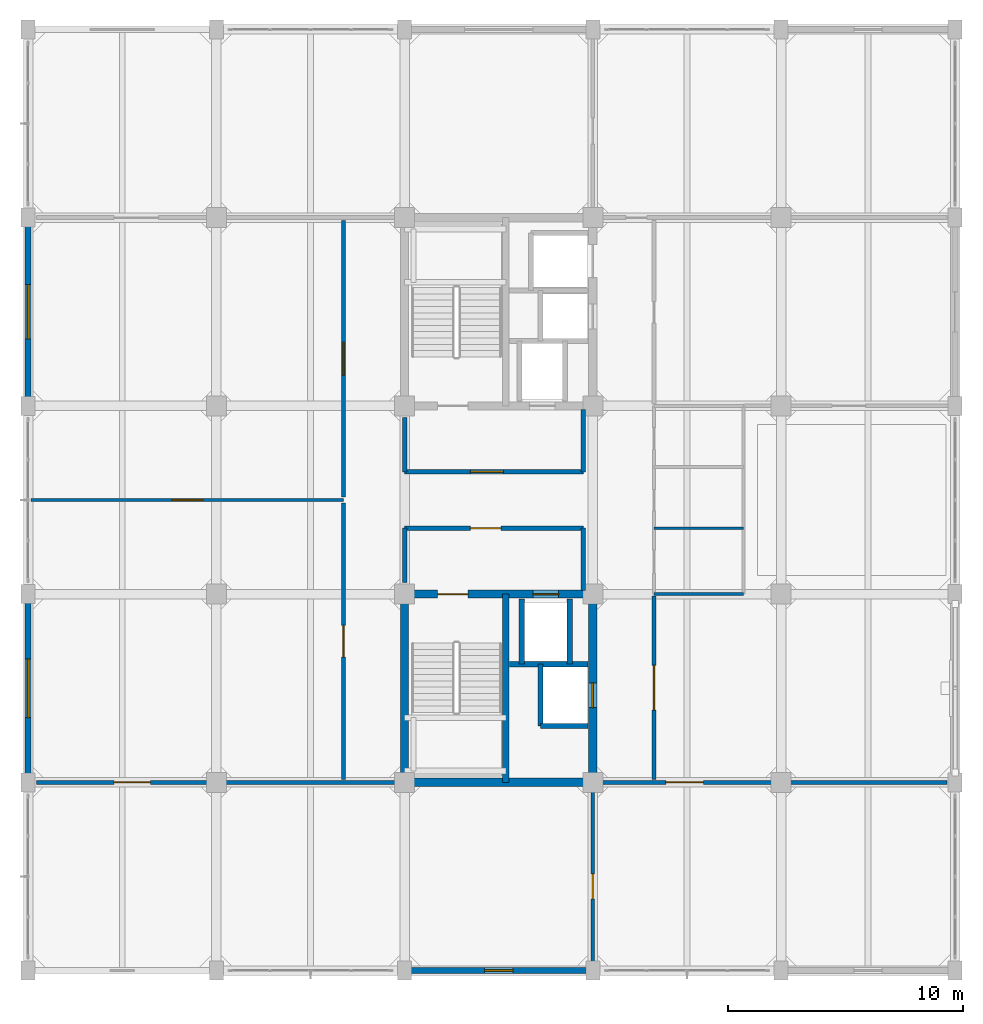
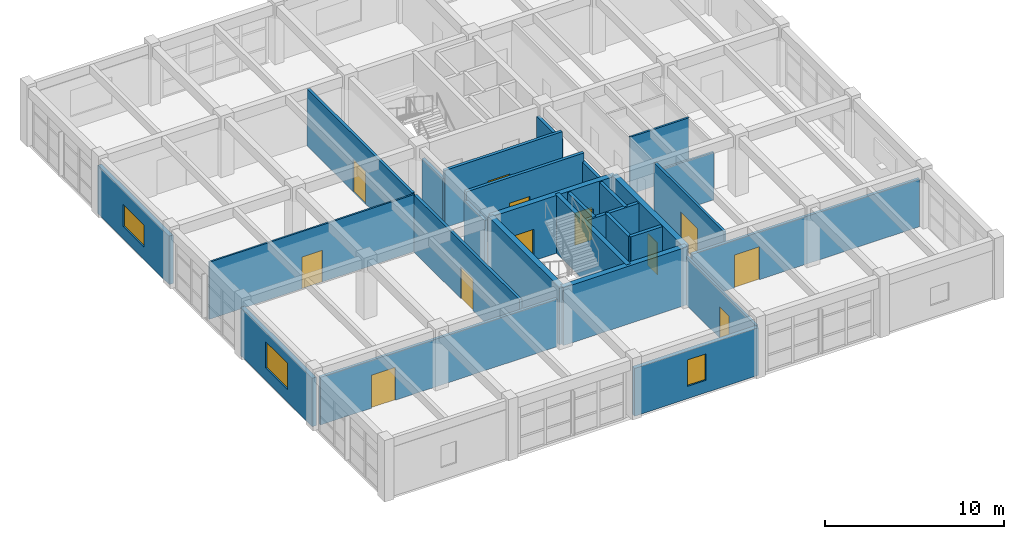
# One storey, part 21 of 27: 28 walls, 12 doors, 3 windows, 15 openings.
"""IFC4 building model written with IfcOpenShell, lengths in metres."""

from ifc_helpers import new_model, si_unit, direction, frame, frame_2d, origin, place, context, subcontext, project, spatial, rectangle, extrude, material, layer, layer_set, type_object, element, fill, save


model = new_model("IFC4")

# Units and contexts
model_context = context("Model", 3, precision=1e-05, world=origin(), true_north=direction((0.0, 1.0)))
body_context = subcontext(model_context, "Body", "Model", "MODEL_VIEW")
ifc_project = project(units=[si_unit("LENGTHUNIT", "METRE"), si_unit("AREAUNIT", "SQUARE_METRE"), si_unit("VOLUMEUNIT", "CUBIC_METRE"), si_unit("PLANEANGLEUNIT", "RADIAN"), si_unit("MASSUNIT", "GRAM", prefix="KILO")], contexts=[model_context])

# Site, building, storey
site_placement = place(None, origin())
site = spatial("IfcSite", under=ifc_project, at=site_placement, CompositionType="ELEMENT")
building_placement = place(site_placement, origin())
building = spatial("IfcBuilding", under=site, at=building_placement, Name="Canggui Botanical Conservatory", CompositionType="ELEMENT")
storey_placement = place(building_placement, frame((0.0, 0.0, 31.800048828125)))
storey = spatial("IfcBuildingStorey", under=building, at=storey_placement, Name="L08", CompositionType="ELEMENT", Elevation=31.800048828125)

# Wall, opening, window
ifc_material_1 = material(Name="Precast Concrete C40", Category="concrete")
ifc_layer_1 = layer(ifc_material_1, 0.260009765625, Name="Precast Concrete C40", Category="concrete")
ifc_layer_set_1 = layer_set([ifc_layer_1], Name="Precast Concrete C40")
wall_type_1 = type_object("IfcWallType", Name="EW-260", PredefinedType="STANDARD", material=ifc_layer_set_1)
wall_1_placement = place(storey_placement, frame((162.0, 34.0, 0.0), z_axis=(0.0, 0.0, 1.0), x_axis=(-1.0, 0.0, 0.0)))
wall_1 = element("IfcWall", 1, at=wall_1_placement, inside=storey, type_object=wall_type_1, Name="Tower Insulated Exterior Wall L08-S3", PredefinedType="STANDARD", context=body_context, shape_type="SweptSolid", body=[
    extrude(rectangle(XDim=8.0, YDim=0.260009765625, at=frame_2d((4.0, 0.0))), origin(), (0.0, 0.0, 1.0), 3.260009765625),
])
opening_1_placement = place(wall_1_placement, frame((3.39990234375, 0.0, 0.85009765625)))
opening_1 = element("IfcOpeningElement", 2, at=opening_1_placement, cuts=wall_1, Name="Opening W-15", PredefinedType="OPENING", context=body_context, shape_type="SweptSolid", body=[
    extrude(rectangle(XDim=1.199951171875, YDim=1.800048828125, at=frame_2d((0.60009765625, 0.89990234375))), frame((0.0, 0.14013671875, 0.0), z_axis=(0.0, -1.0, 0.0), x_axis=(1.0, 0.0, 0.0)), (0.0, 0.0, 1.0), 0.280029296875),
])
ifc_material_2 = material(Name="Low-E Insulated Glass", Category="glass")
window_type_1 = type_object("IfcWindowType", Name="WIN-15", PartitioningType="SINGLE_PANEL", PredefinedType="WINDOW", material=ifc_material_2)
window_1_placement = place(opening_1_placement, origin())
window_1 = element("IfcWindow", 3, at=window_1_placement, inside=storey, type_object=window_type_1, Name="Tower Window L08-3", OverallHeight=1.800048828125, OverallWidth=1.199951171875, PartitioningType="SINGLE_PANEL", PredefinedType="WINDOW", context=body_context, shape_type="SweptSolid", body=[
    extrude(rectangle(XDim=1.199951171875, YDim=1.800048828125, at=frame_2d((0.60009765625, 0.89990234375))), frame((0.0, 0.030029296875, 0.0), z_axis=(0.0, -1.0, 0.0), x_axis=(1.0, 0.0, 0.0)), (0.0, 0.0, 1.0), 0.06005859375),
])
fill(opening_1, window_1)

wall_2_placement = place(storey_placement, frame((138.0, 42.0, 0.0), z_axis=(0.0, 0.0, 1.0), x_axis=(0.0, 1.0, 0.0)))
wall_2 = element("IfcWall", 4, at=wall_2_placement, inside=storey, type_object=wall_type_1, Name="Tower Insulated Exterior Wall L08-W7", PredefinedType="STANDARD", context=body_context, shape_type="SweptSolid", body=[
    extrude(rectangle(XDim=8.0, YDim=0.260009765625, at=frame_2d((4.0, 0.0))), origin(), (0.0, 0.0, 1.0), 3.31005859375),
])
opening_2_placement = place(wall_2_placement, frame((2.75, 0.0, 0.85009765625)))
opening_2 = element("IfcOpeningElement", 5, at=opening_2_placement, cuts=wall_2, Name="Opening W-18", PredefinedType="OPENING", context=body_context, shape_type="SweptSolid", body=[
    extrude(rectangle(XDim=2.5, YDim=1.800048828125, at=frame_2d((1.25, 0.89990234375))), frame((0.0, 0.14013671875, 0.0), z_axis=(0.0, -1.0, 0.0), x_axis=(1.0, 0.0, 0.0)), (0.0, 0.0, 1.0), 0.280029296875),
])
window_type_2 = type_object("IfcWindowType", Name="WIN-18", PartitioningType="DOUBLE_PANEL_VERTICAL", PredefinedType="WINDOW", material=ifc_material_2)
window_2_placement = place(opening_2_placement, origin())
window_2 = element("IfcWindow", 6, at=window_2_placement, inside=storey, type_object=window_type_2, Name="Tower Window L08-7", OverallHeight=1.800048828125, OverallWidth=2.5, PartitioningType="SINGLE_PANEL", PredefinedType="WINDOW", context=body_context, shape_type="SweptSolid", body=[
    extrude(rectangle(XDim=2.5, YDim=1.800048828125, at=frame_2d((1.25, 0.89990234375))), frame((0.0, 0.030029296875, 0.0), z_axis=(0.0, -1.0, 0.0), x_axis=(1.0, 0.0, 0.0)), (0.0, 0.0, 1.0), 0.06005859375),
])
fill(opening_2, window_2)

wall_3_placement = place(storey_placement, frame((138.0, 58.0, 0.0), z_axis=(0.0, 0.0, 1.0), x_axis=(0.0, 1.0, 0.0)))
wall_3 = element("IfcWall", 7, at=wall_3_placement, inside=storey, type_object=wall_type_1, Name="Tower Insulated Exterior Wall L08-W9", PredefinedType="STANDARD", context=body_context, shape_type="SweptSolid", body=[
    extrude(rectangle(XDim=8.0, YDim=0.260009765625, at=frame_2d((4.0, 0.0))), origin(), (0.0, 0.0, 1.0), 3.31005859375),
])
opening_3_placement = place(wall_3_placement, frame((2.85009765625, 0.0, 0.85009765625)))
opening_3 = element("IfcOpeningElement", 8, at=opening_3_placement, cuts=wall_3, Name="Opening W-19", PredefinedType="OPENING", context=body_context, shape_type="SweptSolid", body=[
    extrude(rectangle(XDim=2.300048828125, YDim=1.5, at=frame_2d((1.14990234375, 0.75))), frame((0.0, 0.14013671875, 0.0), z_axis=(0.0, -1.0, 0.0), x_axis=(1.0, 0.0, 0.0)), (0.0, 0.0, 1.0), 0.280029296875),
])
window_type_3 = type_object("IfcWindowType", Name="WIN-19", PartitioningType="DOUBLE_PANEL_VERTICAL", PredefinedType="WINDOW", material=ifc_material_2)
window_3_placement = place(opening_3_placement, origin())
window_3 = element("IfcWindow", 9, at=window_3_placement, inside=storey, type_object=window_type_3, Name="Tower Window L08-9", OverallHeight=1.5, OverallWidth=2.300048828125, PartitioningType="SINGLE_PANEL", PredefinedType="WINDOW", context=body_context, shape_type="SweptSolid", body=[
    extrude(rectangle(XDim=2.300048828125, YDim=1.5, at=frame_2d((1.14990234375, 0.75))), frame((0.0, 0.030029296875, 0.0), z_axis=(0.0, -1.0, 0.0), x_axis=(1.0, 0.0, 0.0)), (0.0, 0.0, 1.0), 0.06005859375),
])
fill(opening_3, window_3)

# Wall, opening, door
ifc_material_3 = material(Name="Gypsum Plasterboard Partition")
ifc_layer_2 = layer(ifc_material_3, 0.175048828125, Name="Gypsum Plasterboard Partition")
ifc_layer_set_2 = layer_set([ifc_layer_2], Name="Gypsum Plasterboard Partition")
wall_type_2 = type_object("IfcWallType", Name="IW-CORR-175", PredefinedType="STANDARD", material=ifc_layer_set_2)
wall_4_placement = place(storey_placement, frame((151.39990234375, 42.1201171875, 0.0), z_axis=(0.0, 0.0, 1.0), x_axis=(0.0, 1.0, 0.0)))
wall_4 = element("IfcWall", 10, at=wall_4_placement, inside=storey, type_object=wall_type_2, Name="L08 Plant Ecology Research Laboratory Corridor Wall", PredefinedType="STANDARD", context=body_context, shape_type="SweptSolid", body=[
    extrude(rectangle(XDim=11.759765625, YDim=0.175048828125, at=frame_2d((5.8798828125, 0.0))), origin(), (0.0, 0.0, 1.0), 3.89990234375),
])
opening_4_placement = place(wall_4_placement, frame((5.205078125, 0.0, 0.0)))
opening_4 = element("IfcOpeningElement", 11, at=opening_4_placement, cuts=wall_4, Name="Opening FD-10", PredefinedType="OPENING", context=body_context, shape_type="SweptSolid", body=[
    extrude(rectangle(XDim=1.35009765625, YDim=2.14990234375, at=frame_2d((0.675048828125, 1.074951171875))), frame((0.0, 0.09765625, 0.0), z_axis=(0.0, -1.0, 0.0), x_axis=(1.0, 0.0, 0.0)), (0.0, 0.0, 1.0), 0.195068359375),
])
ifc_material_4 = material(Name="Powder-Coated Steel", Category="steel")
door_type_1 = type_object("IfcDoorType", Name="FD-10", OperationType="NOTDEFINED", PredefinedType="DOOR", material=ifc_material_4)
door_1_placement = place(opening_4_placement, origin())
door_1 = element("IfcDoor", 12, at=door_1_placement, inside=storey, type_object=door_type_1, Name="L08 Plant Ecology Research Laboratory Entrance Door", OperationType="SINGLE_SWING_LEFT", OverallHeight=2.14990234375, OverallWidth=1.35009765625, PredefinedType="DOOR", context=body_context, shape_type="SweptSolid", body=[
    extrude(rectangle(XDim=1.35009765625, YDim=2.14990234375, at=frame_2d((0.675048828125, 1.074951171875))), frame((0.0, 0.02490234375, 0.0), z_axis=(0.0, -1.0, 0.0), x_axis=(1.0, 0.0, 0.0)), (0.0, 0.0, 1.0), 0.050048828125),
])
fill(opening_4, door_1)

wall_5_placement = place(storey_placement, frame((151.39990234375, 54.1201171875, 0.0), z_axis=(0.0, 0.0, 1.0), x_axis=(0.0, 1.0, 0.0)))
wall_5 = element("IfcWall", 13, at=wall_5_placement, inside=storey, type_object=wall_type_2, Name="L08 Canopy Microclimate Laboratory Corridor Wall", PredefinedType="STANDARD", context=body_context, shape_type="SweptSolid", body=[
    extrude(rectangle(XDim=11.759765625, YDim=0.175048828125, at=frame_2d((5.8798828125, 0.0))), origin(), (0.0, 0.0, 1.0), 3.89990234375),
])
opening_5_placement = place(wall_5_placement, frame((5.179931640625, 0.0, 0.0)))
opening_5 = element("IfcOpeningElement", 14, at=opening_5_placement, cuts=wall_5, Name="Opening FD-11", PredefinedType="OPENING", context=body_context, shape_type="SweptSolid", body=[
    extrude(rectangle(XDim=1.39990234375, YDim=2.199951171875, at=frame_2d((0.699951171875, 1.10009765625))), frame((0.0, 0.09765625, 0.0), z_axis=(0.0, -1.0, 0.0), x_axis=(1.0, 0.0, 0.0)), (0.0, 0.0, 1.0), 0.195068359375),
])
door_type_2 = type_object("IfcDoorType", Name="FD-11", OperationType="NOTDEFINED", PredefinedType="DOOR", material=ifc_material_4)
door_2_placement = place(opening_5_placement, origin())
door_2 = element("IfcDoor", 15, at=door_2_placement, inside=storey, type_object=door_type_2, Name="L08 Canopy Microclimate Laboratory Entrance Door", OperationType="SINGLE_SWING_LEFT", OverallHeight=2.199951171875, OverallWidth=1.39990234375, PredefinedType="DOOR", context=body_context, shape_type="SweptSolid", body=[
    extrude(rectangle(XDim=1.39990234375, YDim=2.199951171875, at=frame_2d((0.699951171875, 1.10009765625))), frame((0.0, 0.02490234375, 0.0), z_axis=(0.0, -1.0, 0.0), x_axis=(1.0, 0.0, 0.0)), (0.0, 0.0, 1.0), 0.050048828125),
])
fill(opening_5, door_2)

wall_6_placement = place(storey_placement, frame((138.35009765625, 42.0, 0.0), z_axis=(0.0, 0.0, 1.0), x_axis=(1.0, 0.0, 0.0)))
wall_6 = element("IfcWall", 16, at=wall_6_placement, inside=storey, type_object=wall_type_2, Name="L08 Soil Rhizosphere Analysis Laboratory South Suite Wall", PredefinedType="STANDARD", context=body_context, shape_type="SweptSolid", body=[
    extrude(rectangle(XDim=15.2998046875, YDim=0.175048828125, at=frame_2d((7.64990234375, 0.0))), origin(), (0.0, 0.0, 1.0), 3.260009765625),
])
opening_6_placement = place(wall_6_placement, frame((3.300048828125, 0.0, 0.0)))
opening_6 = element("IfcOpeningElement", 17, at=opening_6_placement, cuts=wall_6, Name="Opening FD-14", PredefinedType="OPENING", context=body_context, shape_type="SweptSolid", body=[
    extrude(rectangle(XDim=1.550048828125, YDim=2.25, at=frame_2d((0.77490234375, 1.125))), frame((0.0, 0.09765625, 0.0), z_axis=(0.0, -1.0, 0.0), x_axis=(1.0, 0.0, 0.0)), (0.0, 0.0, 1.0), 0.195068359375),
])
door_type_3 = type_object("IfcDoorType", Name="FD-14", OperationType="NOTDEFINED", PredefinedType="DOOR", material=ifc_material_4)
door_3_placement = place(opening_6_placement, origin())
door_3 = element("IfcDoor", 18, at=door_3_placement, inside=storey, type_object=door_type_3, Name="Interior Door IW-L08-SCOR-1", OperationType="SINGLE_SWING_RIGHT", OverallHeight=2.25, OverallWidth=1.550048828125, PredefinedType="DOOR", context=body_context, shape_type="SweptSolid", body=[
    extrude(rectangle(XDim=1.550048828125, YDim=2.25, at=frame_2d((0.77490234375, 1.125))), frame((0.0, 0.02490234375, 0.0), z_axis=(0.0, -1.0, 0.0), x_axis=(1.0, 0.0, 0.0)), (0.0, 0.0, 1.0), 0.050048828125),
])
fill(opening_6, door_3)

wall_7_placement = place(storey_placement, frame((162.35009765625, 42.0, 0.0), z_axis=(0.0, 0.0, 1.0), x_axis=(1.0, 0.0, 0.0)))
wall_7 = element("IfcWall", 19, at=wall_7_placement, inside=storey, type_object=wall_type_2, Name="L08 Isotope Ratio Spectrometer Room South Suite Wall", PredefinedType="STANDARD", context=body_context, shape_type="SweptSolid", body=[
    extrude(rectangle(XDim=14.699951171875, YDim=0.175048828125, at=frame_2d((7.35009765625, 0.0))), origin(), (0.0, 0.0, 1.0), 3.260009765625),
])
opening_7_placement = place(wall_7_placement, frame((2.75, 0.0, 0.0)))
opening_7 = element("IfcOpeningElement", 20, at=opening_7_placement, cuts=wall_7, Name="Opening FD-15", PredefinedType="OPENING", context=body_context, shape_type="SweptSolid", body=[
    extrude(rectangle(XDim=1.60009765625, YDim=2.25, at=frame_2d((0.800048828125, 1.125))), frame((0.0, 0.09765625, 0.0), z_axis=(0.0, -1.0, 0.0), x_axis=(1.0, 0.0, 0.0)), (0.0, 0.0, 1.0), 0.195068359375),
])
door_type_4 = type_object("IfcDoorType", Name="FD-15", OperationType="NOTDEFINED", PredefinedType="DOOR", material=ifc_material_4)
door_4_placement = place(opening_7_placement, origin())
door_4 = element("IfcDoor", 21, at=door_4_placement, inside=storey, type_object=door_type_4, Name="Interior Door IW-L08-SCOR-2", OperationType="DOUBLE_DOOR_SINGLE_SWING", OverallHeight=2.25, OverallWidth=1.60009765625, PredefinedType="DOOR", context=body_context, shape_type="SweptSolid", body=[
    extrude(rectangle(XDim=1.60009765625, YDim=2.25, at=frame_2d((0.800048828125, 1.125))), frame((0.0, 0.02490234375, 0.0), z_axis=(0.0, -1.0, 0.0), x_axis=(1.0, 0.0, 0.0)), (0.0, 0.0, 1.0), 0.050048828125),
])
fill(opening_7, door_4)

ifc_layer_3 = layer(ifc_material_3, 0.155029296875, Name="Gypsum Plasterboard Partition")
ifc_layer_set_3 = layer_set([ifc_layer_3], Name="Gypsum Plasterboard Partition")
wall_type_3 = type_object("IfcWallType", Name="IW-LAB-155", PredefinedType="STANDARD", material=ifc_layer_set_3)
wall_8_placement = place(storey_placement, frame((164.60009765625, 42.1201171875, 0.0), z_axis=(0.0, 0.0, 1.0), x_axis=(0.0, 1.0, 0.0)))
wall_8 = element("IfcWall", 22, at=wall_8_placement, inside=storey, type_object=wall_type_3, Name="L08 Urban Biodiversity Research Laboratory Lab Wall", PredefinedType="STANDARD", context=body_context, shape_type="SweptSolid", body=[
    extrude(rectangle(XDim=7.7998046875, YDim=0.155029296875, at=frame_2d((3.89990234375, 0.0))), origin(), (0.0, 0.0, 1.0), 3.89990234375),
])
opening_8_placement = place(wall_8_placement, frame((2.949951171875, 0.0, 0.0)))
opening_8 = element("IfcOpeningElement", 23, at=opening_8_placement, cuts=wall_8, Name="Opening FD-18", PredefinedType="OPENING", context=body_context, shape_type="SweptSolid", body=[
    extrude(rectangle(XDim=1.89990234375, YDim=2.35009765625, at=frame_2d((0.949951171875, 1.175048828125))), frame((0.0, 0.08740234375, 0.0), z_axis=(0.0, -1.0, 0.0), x_axis=(1.0, 0.0, 0.0)), (0.0, 0.0, 1.0), 0.175048828125),
])
door_type_5 = type_object("IfcDoorType", Name="FD-18", OperationType="NOTDEFINED", PredefinedType="DOOR", material=ifc_material_4)
door_5_placement = place(opening_8_placement, origin())
door_5 = element("IfcDoor", 24, at=door_5_placement, inside=storey, type_object=door_type_5, Name="Interior Door IW-L08-ECOR-1-1", OperationType="DOUBLE_DOOR_SINGLE_SWING", OverallHeight=2.35009765625, OverallWidth=1.89990234375, PredefinedType="DOOR", context=body_context, shape_type="SweptSolid", body=[
    extrude(rectangle(XDim=1.89990234375, YDim=2.35009765625, at=frame_2d((0.949951171875, 1.175048828125))), frame((0.0, 0.02490234375, 0.0), z_axis=(0.0, -1.0, 0.0), x_axis=(1.0, 0.0, 0.0)), (0.0, 0.0, 1.0), 0.050048828125),
])
fill(opening_8, door_5)

ifc_layer_4 = layer(ifc_material_3, 0.110107421875, Name="Gypsum Plasterboard Partition")
ifc_layer_set_4 = layer_set([ifc_layer_4], Name="Gypsum Plasterboard Partition")
wall_type_4 = type_object("IfcWallType", Name="IW-LIGHT-110", PredefinedType="STANDARD", material=ifc_layer_set_4)
wall_9_placement = place(storey_placement, frame((138.1201171875, 54.0, 0.0), z_axis=(0.0, 0.0, 1.0), x_axis=(1.0, 0.0, 0.0)))
wall_9 = element("IfcWall", 25, at=wall_9_placement, inside=storey, type_object=wall_type_4, Name="L08 Plant Ecology Research Laboratory Cross Partition", PredefinedType="STANDARD", context=body_context, shape_type="SweptSolid", body=[
    extrude(rectangle(XDim=13.27978515625, YDim=0.110107421875, at=frame_2d((6.639892578125, 0.0))), origin(), (0.0, 0.0, 1.0), 3.89990234375),
])
opening_9_placement = place(wall_9_placement, frame((5.97998046875, 0.0, 0.0)))
opening_9 = element("IfcOpeningElement", 26, at=opening_9_placement, cuts=wall_9, Name="Opening ID-10", PredefinedType="OPENING", context=body_context, shape_type="SweptSolid", body=[
    extrude(rectangle(XDim=1.320068359375, YDim=2.159912109375, at=frame_2d((0.66015625, 1.080078125))), frame((0.0, 0.06494140625, 0.0), z_axis=(0.0, -1.0, 0.0), x_axis=(1.0, 0.0, 0.0)), (0.0, 0.0, 1.0), 0.130126953125),
])
ifc_material_5 = material(Name="Engineered Timber Veneer", Category="wood")
door_type_6 = type_object("IfcDoorType", Name="ID-10", OperationType="NOTDEFINED", PredefinedType="DOOR", material=ifc_material_5)
door_6_placement = place(opening_9_placement, origin())
door_6 = element("IfcDoor", 27, at=door_6_placement, inside=storey, type_object=door_type_6, Name="L08 Plant Ecology Research Laboratory Interconnecting Door", OperationType="SINGLE_SWING_RIGHT", OverallHeight=2.159912109375, OverallWidth=1.320068359375, PredefinedType="DOOR", context=body_context, shape_type="SweptSolid", body=[
    extrude(rectangle(XDim=1.320068359375, YDim=2.159912109375, at=frame_2d((0.66015625, 1.080078125))), frame((0.0, 0.02490234375, 0.0), z_axis=(0.0, -1.0, 0.0), x_axis=(1.0, 0.0, 0.0)), (0.0, 0.0, 1.0), 0.050048828125),
])
fill(opening_9, door_6)

ifc_material_6 = material(Name="Concrete C35", Category="concrete")
ifc_layer_5 = layer(ifc_material_6, 0.195068359375, Name="Concrete C35", Category="concrete")
ifc_layer_set_5 = layer_set([ifc_layer_5], Name="Concrete C35")
wall_type_5 = type_object("IfcWallType", Name="IW-LOBBY-195", PredefinedType="STANDARD", material=ifc_layer_set_5)
wall_10_placement = place(storey_placement, frame((154.0, 52.800048828125, 0.0), z_axis=(0.0, 0.0, 1.0), x_axis=(1.0, 0.0, 0.0)))
wall_10 = element("IfcWall", 28, at=wall_10_placement, inside=storey, type_object=wall_type_5, Name="L08 South Firefighting Lift Lobby North Wall", PredefinedType="STANDARD", context=body_context, shape_type="SweptSolid", body=[
    extrude(rectangle(XDim=7.60009765625, YDim=0.195068359375, at=frame_2d((3.800048828125, 0.0))), origin(), (0.0, 0.0, 1.0), 3.89990234375),
])
opening_10_placement = place(wall_10_placement, frame((2.800048828125, 0.0, 0.0)))
opening_10 = element("IfcOpeningElement", 29, at=opening_10_placement, cuts=wall_10, Name="Opening FD-09", PredefinedType="OPENING", context=body_context, shape_type="SweptSolid", body=[
    extrude(rectangle(XDim=1.300048828125, YDim=2.14990234375, at=frame_2d((0.64990234375, 1.074951171875))), frame((0.0, 0.107421875, 0.0), z_axis=(0.0, -1.0, 0.0), x_axis=(1.0, 0.0, 0.0)), (0.0, 0.0, 1.0), 0.215087890625),
])
door_type_7 = type_object("IfcDoorType", Name="FD-09", OperationType="NOTDEFINED", PredefinedType="DOOR", material=ifc_material_4)
door_7_placement = place(opening_10_placement, origin())
door_7 = element("IfcDoor", 30, at=door_7_placement, inside=storey, type_object=door_type_7, Name="L08 South Firefighting Lobby Fire Door", OperationType="SINGLE_SWING_RIGHT", OverallHeight=2.14990234375, OverallWidth=1.300048828125, PredefinedType="DOOR", context=body_context, shape_type="SweptSolid", body=[
    extrude(rectangle(XDim=1.300048828125, YDim=2.14990234375, at=frame_2d((0.64990234375, 1.074951171875))), frame((0.0, 0.02490234375, 0.0), z_axis=(0.0, -1.0, 0.0), x_axis=(1.0, 0.0, 0.0)), (0.0, 0.0, 1.0), 0.050048828125),
])
fill(opening_10, door_7)

# Walls
wall_11_placement = place(storey_placement, frame((161.60009765625, 50.14990234375, 0.0), z_axis=(0.0, 0.0, 1.0), x_axis=(0.0, 1.0, 0.0)))
element("IfcWall", 31, at=wall_11_placement, inside=storey, type_object=wall_type_5, Name="L08 South Firefighting Lift Lobby East Wall", PredefinedType="STANDARD", context=body_context, shape_type="SweptSolid", body=[
    extrude(rectangle(XDim=2.650146484375, YDim=0.195068359375, at=frame_2d((1.3251953125, 0.0))), origin(), (0.0, 0.0, 1.0), 3.31005859375),
])
wall_12_placement = place(storey_placement, frame((154.0, 50.5, 0.0), z_axis=(0.0, 0.0, 1.0), x_axis=(0.0, 1.0, 0.0)))
element("IfcWall", 32, at=wall_12_placement, inside=storey, type_object=wall_type_5, Name="L08 South Firefighting Lift Lobby West Wall", PredefinedType="STANDARD", context=body_context, shape_type="SweptSolid", body=[
    extrude(rectangle(XDim=2.300048828125, YDim=0.195068359375, at=frame_2d((1.14990234375, 0.0))), origin(), (0.0, 0.0, 1.0), 3.31005859375),
])

# Wall, opening, door
wall_13_placement = place(storey_placement, frame((154.0, 55.199951171875, 0.0), z_axis=(0.0, 0.0, 1.0), x_axis=(1.0, 0.0, 0.0)))
wall_13 = element("IfcWall", 33, at=wall_13_placement, inside=storey, type_object=wall_type_5, Name="L08 North Firefighting Lift Lobby South Wall", PredefinedType="STANDARD", context=body_context, shape_type="SweptSolid", body=[
    extrude(rectangle(XDim=7.60009765625, YDim=0.195068359375, at=frame_2d((3.800048828125, 0.0))), origin(), (0.0, 0.0, 1.0), 3.89990234375),
])
opening_11_placement = place(wall_13_placement, frame((2.800048828125, 0.0, 0.0)))
opening_11 = element("IfcOpeningElement", 34, at=opening_11_placement, cuts=wall_13, Name="Opening FD-11", PredefinedType="OPENING", context=body_context, shape_type="SweptSolid", body=[
    extrude(rectangle(XDim=1.39990234375, YDim=2.199951171875, at=frame_2d((0.699951171875, 1.10009765625))), frame((0.0, 0.107421875, 0.0), z_axis=(0.0, -1.0, 0.0), x_axis=(1.0, 0.0, 0.0)), (0.0, 0.0, 1.0), 0.215087890625),
])
door_8_placement = place(opening_11_placement, origin())
door_8 = element("IfcDoor", 35, at=door_8_placement, inside=storey, type_object=door_type_2, Name="L08 North Firefighting Lobby Fire Door", OperationType="SINGLE_SWING_LEFT", OverallHeight=2.199951171875, OverallWidth=1.39990234375, PredefinedType="DOOR", context=body_context, shape_type="SweptSolid", body=[
    extrude(rectangle(XDim=1.39990234375, YDim=2.199951171875, at=frame_2d((0.699951171875, 1.10009765625))), frame((0.0, 0.02490234375, 0.0), z_axis=(0.0, -1.0, 0.0), x_axis=(1.0, 0.0, 0.0)), (0.0, 0.0, 1.0), 0.050048828125),
])
fill(opening_11, door_8)

# Walls
wall_14_placement = place(storey_placement, frame((161.60009765625, 55.199951171875, 0.0), z_axis=(0.0, 0.0, 1.0), x_axis=(0.0, 1.0, 0.0)))
element("IfcWall", 36, at=wall_14_placement, inside=storey, type_object=wall_type_5, Name="L08 North Firefighting Lift Lobby East Wall", PredefinedType="STANDARD", context=body_context, shape_type="SweptSolid", body=[
    extrude(rectangle(XDim=2.650146484375, YDim=0.195068359375, at=frame_2d((1.3251953125, 0.0))), origin(), (0.0, 0.0, 1.0), 3.31005859375),
])
wall_15_placement = place(storey_placement, frame((154.0, 55.199951171875, 0.0), z_axis=(0.0, 0.0, 1.0), x_axis=(0.0, 1.0, 0.0)))
element("IfcWall", 37, at=wall_15_placement, inside=storey, type_object=wall_type_5, Name="L08 North Firefighting Lift Lobby West Wall", PredefinedType="STANDARD", context=body_context, shape_type="SweptSolid", body=[
    extrude(rectangle(XDim=2.300048828125, YDim=0.195068359375, at=frame_2d((1.14990234375, 0.0))), origin(), (0.0, 0.0, 1.0), 3.31005859375),
])

# Wall, opening, door
ifc_layer_6 = layer(ifc_material_3, 0.139892578125, Name="Gypsum Plasterboard Partition")
ifc_layer_set_6 = layer_set([ifc_layer_6], Name="Gypsum Plasterboard Partition")
wall_type_6 = type_object("IfcWallType", Name="IW-PART-140", PredefinedType="STANDARD", material=ifc_layer_set_6)
wall_16_placement = place(storey_placement, frame((162.0, 34.050048828125, 0.0), z_axis=(0.0, 0.0, 1.0), x_axis=(0.0, 1.0, 0.0)))
wall_16 = element("IfcWall", 38, at=wall_16_placement, inside=storey, type_object=wall_type_6, Name="L08 Soil Rhizosphere Analysis Laboratory South Cross Wall", PredefinedType="STANDARD", context=body_context, shape_type="SweptSolid", body=[
    extrude(rectangle(XDim=7.829833984375, YDim=0.139892578125, at=frame_2d((3.9150390625, 0.0))), origin(), (0.0, 0.0, 1.0), 3.31005859375),
])
opening_12_placement = place(wall_16_placement, frame((3.0, 0.0, 0.0)))
opening_12 = element("IfcOpeningElement", 39, at=opening_12_placement, cuts=wall_16, Name="Opening ID-05", PredefinedType="OPENING", context=body_context, shape_type="SweptSolid", body=[
    extrude(rectangle(XDim=1.06005859375, YDim=2.1201171875, at=frame_2d((0.530029296875, 1.06005859375))), frame((0.0, 0.080078125, 0.0), z_axis=(0.0, -1.0, 0.0), x_axis=(1.0, 0.0, 0.0)), (0.0, 0.0, 1.0), 0.159912109375),
])
door_type_8 = type_object("IfcDoorType", Name="ID-05", OperationType="NOTDEFINED", PredefinedType="DOOR", material=ifc_material_5)
door_9_placement = place(opening_12_placement, origin())
door_9 = element("IfcDoor", 40, at=door_9_placement, inside=storey, type_object=door_type_8, Name="Interior Door IW-L08-SDIV-1", OperationType="SINGLE_SWING_LEFT", OverallHeight=2.1201171875, OverallWidth=1.06005859375, PredefinedType="DOOR", context=body_context, shape_type="SweptSolid", body=[
    extrude(rectangle(XDim=1.06005859375, YDim=2.1201171875, at=frame_2d((0.530029296875, 1.06005859375))), frame((0.0, 0.02490234375, 0.0), z_axis=(0.0, -1.0, 0.0), x_axis=(1.0, 0.0, 0.0)), (0.0, 0.0, 1.0), 0.050048828125),
])
fill(opening_12, door_9)

# Walls
ifc_layer_7 = layer(ifc_material_6, 0.215087890625, Name="Concrete C35", Category="concrete")
ifc_layer_set_7 = layer_set([ifc_layer_7], Name="Concrete C35")
wall_type_7 = type_object("IfcWallType", Name="IW-SHAFT-215", PredefinedType="STANDARD", material=ifc_layer_set_7)
wall_17_placement = place(storey_placement, frame((158.449951171875, 47.02001953125, 0.0), z_axis=(0.0, 0.0, 1.0), x_axis=(1.0, 0.0, 0.0)))
element("IfcWall", 41, at=wall_17_placement, inside=storey, type_object=wall_type_7, Name="Core T1 Lift Shaft Divider L08", PredefinedType="STANDARD", context=body_context, shape_type="SweptSolid", body=[
    extrude(rectangle(XDim=3.35009765625, YDim=0.215087890625, at=frame_2d((1.675048828125, 0.0))), origin(), (0.0, 0.0, 1.0), 3.89990234375),
])
for number, where, z_axis, x_axis, name in (
    (42, (158.97998046875, 47.02001953125, 0.0), (0.0, 0.0, 1.0), (0.0, 1.0, 0.0), "Core T1 FL-01 West Shaft Wall L08"),
    (43, (161.02001953125, 47.02001953125, 0.0), (0.0, 0.0, 1.0), (0.0, 1.0, 0.0), "Core T1 FL-01 East Shaft Wall L08"),
):
    element("IfcWall", number, at=place(storey_placement, frame(where, z_axis=z_axis, x_axis=x_axis)), inside=storey, type_object=wall_type_7, Name=name, PredefinedType="STANDARD", context=body_context, shape_type="SweptSolid", body=[
        extrude(rectangle(XDim=2.780029296875, YDim=0.215087890625, at=frame_2d((1.39013671875, 0.0))), origin(), (0.0, 0.0, 1.0), 3.89990234375),
    ])
wall_18_placement = place(storey_placement, frame((159.780029296875, 44.39990234375, 0.0), z_axis=(0.0, 0.0, 1.0), x_axis=(0.0, 1.0, 0.0)))
element("IfcWall", 44, at=wall_18_placement, inside=storey, type_object=wall_type_7, Name="Core T1 PL-01 West Shaft Wall L08", PredefinedType="STANDARD", context=body_context, shape_type="SweptSolid", body=[
    extrude(rectangle(XDim=2.6201171875, YDim=0.215087890625, at=frame_2d((1.31005859375, 0.0))), origin(), (0.0, 0.0, 1.0), 3.89990234375),
])
wall_19_placement = place(storey_placement, frame((159.780029296875, 44.39990234375, 0.0), z_axis=(0.0, 0.0, 1.0), x_axis=(1.0, 0.0, 0.0)))
element("IfcWall", 45, at=wall_19_placement, inside=storey, type_object=wall_type_7, Name="Core T1 PL-01 South Shaft Wall L08", PredefinedType="STANDARD", context=body_context, shape_type="SweptSolid", body=[
    extrude(rectangle(XDim=2.02001953125, YDim=0.215087890625, at=frame_2d((1.010009765625, 0.0))), origin(), (0.0, 0.0, 1.0), 3.89990234375),
])
ifc_layer_8 = layer(ifc_material_3, 0.125, Name="Gypsum Plasterboard Partition")
ifc_layer_set_8 = layer_set([ifc_layer_8], Name="Gypsum Plasterboard Partition")
wall_type_8 = type_object("IfcWallType", Name="IW-WC-125", PredefinedType="STANDARD", material=ifc_layer_set_8)
wall_20_placement = place(storey_placement, frame((164.60009765625, 50.0, 0.0), z_axis=(0.0, 0.0, 1.0), x_axis=(1.0, 0.0, 0.0)))
element("IfcWall", 46, at=wall_20_placement, inside=storey, type_object=wall_type_8, Name="L08 Restroom Divider Y50.0", PredefinedType="STANDARD", context=body_context, shape_type="SweptSolid", body=[
    extrude(rectangle(XDim=3.7998046875, YDim=0.125, at=frame_2d((1.89990234375, 0.0))), origin(), (0.0, 0.0, 1.0), 3.260009765625),
])
wall_21_placement = place(storey_placement, frame((164.60009765625, 52.800048828125, 0.0), z_axis=(0.0, 0.0, 1.0), x_axis=(1.0, 0.0, 0.0)))
element("IfcWall", 47, at=wall_21_placement, inside=storey, type_object=wall_type_8, Name="L08 Restroom Divider Y52.8", PredefinedType="STANDARD", context=body_context, shape_type="SweptSolid", body=[
    extrude(rectangle(XDim=3.7998046875, YDim=0.125, at=frame_2d((1.89990234375, 0.0))), origin(), (0.0, 0.0, 1.0), 3.89990234375),
])
ifc_layer_9 = layer(ifc_material_6, 0.280029296875, Name="Concrete C35", Category="concrete")
ifc_layer_set_9 = layer_set([ifc_layer_9], Name="Concrete C35")
wall_type_9 = type_object("IfcWallType", Name="WALL-SH-280-C35", PredefinedType="SHEAR", material=ifc_layer_set_9)
wall_22_placement = place(storey_placement, frame((158.300048828125, 42.0, 0.0), z_axis=(0.0, 0.0, 1.0), x_axis=(0.0, 1.0, 0.0)))
element("IfcWall", 48, at=wall_22_placement, inside=storey, type_object=wall_type_9, Name="Core T1 Internal Shear Web L08", PredefinedType="SHEAR", context=body_context, shape_type="SweptSolid", body=[
    extrude(rectangle(XDim=8.0, YDim=0.280029296875, at=frame_2d((4.0, 0.0))), origin(), (0.0, 0.0, 1.0), 3.949951171875),
])
ifc_material_7 = material(Name="Concrete C40", Category="concrete")
ifc_layer_10 = layer(ifc_material_7, 0.35009765625, Name="Concrete C40", Category="concrete")
ifc_layer_set_10 = layer_set([ifc_layer_10], Name="Concrete C40")
wall_type_10 = type_object("IfcWallType", Name="WALL-SH-350-C40", PredefinedType="SHEAR", material=ifc_layer_set_10)
wall_23_placement = place(storey_placement, frame((154.0, 42.0, 0.0), z_axis=(0.0, 0.0, 1.0), x_axis=(1.0, 0.0, 0.0)))
element("IfcWall", 49, at=wall_23_placement, inside=storey, type_object=wall_type_10, Name="Core T1 Shear Wall L08-S", PredefinedType="SHEAR", context=body_context, shape_type="SweptSolid", body=[
    extrude(rectangle(XDim=8.0, YDim=0.35009765625, at=frame_2d((4.0, 0.0))), origin(), (0.0, 0.0, 1.0), 3.949951171875),
])

# Wall, opening, door
wall_24_placement = place(storey_placement, frame((162.0, 42.0, 0.0), z_axis=(0.0, 0.0, 1.0), x_axis=(0.0, 1.0, 0.0)))
wall_24 = element("IfcWall", 50, at=wall_24_placement, inside=storey, type_object=wall_type_10, Name="Core T1 Shear Wall L08-E", PredefinedType="SHEAR", context=body_context, shape_type="SweptSolid", body=[
    extrude(rectangle(XDim=8.0, YDim=0.35009765625, at=frame_2d((4.0, 0.0))), origin(), (0.0, 0.0, 1.0), 3.949951171875),
])
opening_13_placement = place(wall_24_placement, frame((3.175048828125, 0.0, 0.0)))
opening_13 = element("IfcOpeningElement", 51, at=opening_13_placement, cuts=wall_24, Name="Opening LD-02", PredefinedType="OPENING", context=body_context, shape_type="SweptSolid", body=[
    extrude(rectangle(XDim=1.050048828125, YDim=2.199951171875, at=frame_2d((0.52490234375, 1.10009765625))), frame((0.0, 0.18505859375, 0.0), z_axis=(0.0, -1.0, 0.0), x_axis=(1.0, 0.0, 0.0)), (0.0, 0.0, 1.0), 0.3701171875),
])
ifc_material_8 = material(Name="Stainless Steel 304", Category="steel")
door_type_9 = type_object("IfcDoorType", Name="LDR-02", OperationType="NOTDEFINED", PredefinedType="DOOR", material=ifc_material_8)
door_10_placement = place(opening_13_placement, origin())
door_10 = element("IfcDoor", 52, at=door_10_placement, inside=storey, type_object=door_type_9, Name="Passenger Lift PL-01 Landing Door L08", OperationType="SLIDING_TO_LEFT", OverallHeight=2.199951171875, OverallWidth=1.050048828125, PredefinedType="DOOR", context=body_context, shape_type="SweptSolid", body=[
    extrude(rectangle(XDim=1.050048828125, YDim=2.199951171875, at=frame_2d((0.52490234375, 1.10009765625))), frame((0.0, 0.02490234375, 0.0), z_axis=(0.0, -1.0, 0.0), x_axis=(1.0, 0.0, 0.0)), (0.0, 0.0, 1.0), 0.050048828125),
])
fill(opening_13, door_10)

# Wall, openings, doors
wall_25_placement = place(storey_placement, frame((162.0, 50.0, 0.0), z_axis=(0.0, 0.0, 1.0), x_axis=(-1.0, 0.0, 0.0)))
wall_25 = element("IfcWall", 53, at=wall_25_placement, inside=storey, type_object=wall_type_10, Name="Core T1 Shear Wall L08-N", PredefinedType="SHEAR", context=body_context, shape_type="SweptSolid", body=[
    extrude(rectangle(XDim=8.0, YDim=0.35009765625, at=frame_2d((4.0, 0.0))), origin(), (0.0, 0.0, 1.0), 3.949951171875),
])
opening_14_placement = place(wall_25_placement, frame((5.300048828125, 0.0, 0.0)))
opening_14 = element("IfcOpeningElement", 54, at=opening_14_placement, cuts=wall_25, Name="Opening FD-09", PredefinedType="OPENING", context=body_context, shape_type="SweptSolid", body=[
    extrude(rectangle(XDim=1.300048828125, YDim=2.14990234375, at=frame_2d((0.64990234375, 1.074951171875))), frame((0.0, 0.18505859375, 0.0), z_axis=(0.0, -1.0, 0.0), x_axis=(1.0, 0.0, 0.0)), (0.0, 0.0, 1.0), 0.3701171875),
])
opening_15_placement = place(wall_25_placement, frame((1.449951171875, 0.0, 0.0)))
opening_15 = element("IfcOpeningElement", 55, at=opening_15_placement, cuts=wall_25, Name="Opening LD-01", PredefinedType="OPENING", context=body_context, shape_type="SweptSolid", body=[
    extrude(rectangle(XDim=1.10009765625, YDim=2.199951171875, at=frame_2d((0.550048828125, 1.10009765625))), frame((0.0, 0.18505859375, 0.0), z_axis=(0.0, -1.0, 0.0), x_axis=(1.0, 0.0, 0.0)), (0.0, 0.0, 1.0), 0.3701171875),
])
door_11_placement = place(opening_14_placement, origin())
door_11 = element("IfcDoor", 56, at=door_11_placement, inside=storey, type_object=door_type_7, Name="Tower South Smoke-Proof Stair Door L08", OperationType="SINGLE_SWING_LEFT", OverallHeight=2.14990234375, OverallWidth=1.300048828125, PredefinedType="DOOR", context=body_context, shape_type="SweptSolid", body=[
    extrude(rectangle(XDim=1.300048828125, YDim=2.14990234375, at=frame_2d((0.64990234375, 1.074951171875))), frame((0.0, 0.02490234375, 0.0), z_axis=(0.0, -1.0, 0.0), x_axis=(1.0, 0.0, 0.0)), (0.0, 0.0, 1.0), 0.050048828125),
])
fill(opening_14, door_11)
door_type_10 = type_object("IfcDoorType", Name="LDR-01", OperationType="NOTDEFINED", PredefinedType="DOOR", material=ifc_material_8)
door_12_placement = place(opening_15_placement, origin())
door_12 = element("IfcDoor", 57, at=door_12_placement, inside=storey, type_object=door_type_10, Name="Firefighting Lift FL-01 Landing Door L08", OperationType="SLIDING_TO_LEFT", OverallHeight=2.199951171875, OverallWidth=1.10009765625, PredefinedType="DOOR", context=body_context, shape_type="SweptSolid", body=[
    extrude(rectangle(XDim=1.10009765625, YDim=2.199951171875, at=frame_2d((0.550048828125, 1.10009765625))), frame((0.0, 0.02490234375, 0.0), z_axis=(0.0, -1.0, 0.0), x_axis=(1.0, 0.0, 0.0)), (0.0, 0.0, 1.0), 0.050048828125),
])
fill(opening_15, door_12)

# Wall
wall_26_placement = place(storey_placement, frame((154.0, 50.0, 0.0), z_axis=(0.0, 0.0, 1.0), x_axis=(0.0, -1.0, 0.0)))
element("IfcWall", 58, at=wall_26_placement, inside=storey, type_object=wall_type_10, Name="Core T1 Shear Wall L08-W", PredefinedType="SHEAR", context=body_context, shape_type="SweptSolid", body=[
    extrude(rectangle(XDim=8.0, YDim=0.35009765625, at=frame_2d((4.0, 0.0))), origin(), (0.0, 0.0, 1.0), 3.949951171875),
])

save(model, "model.ifc")
